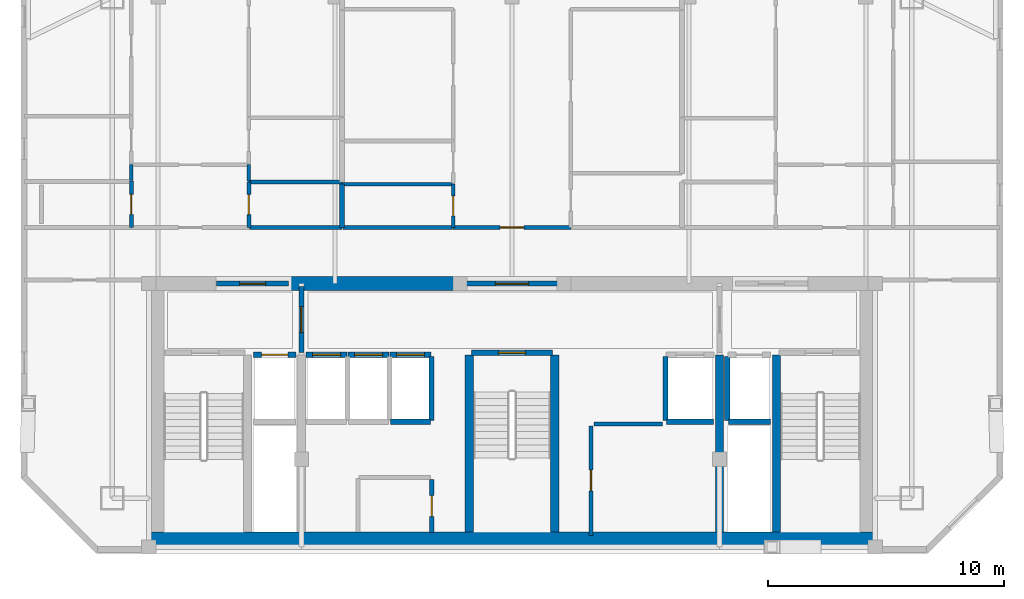
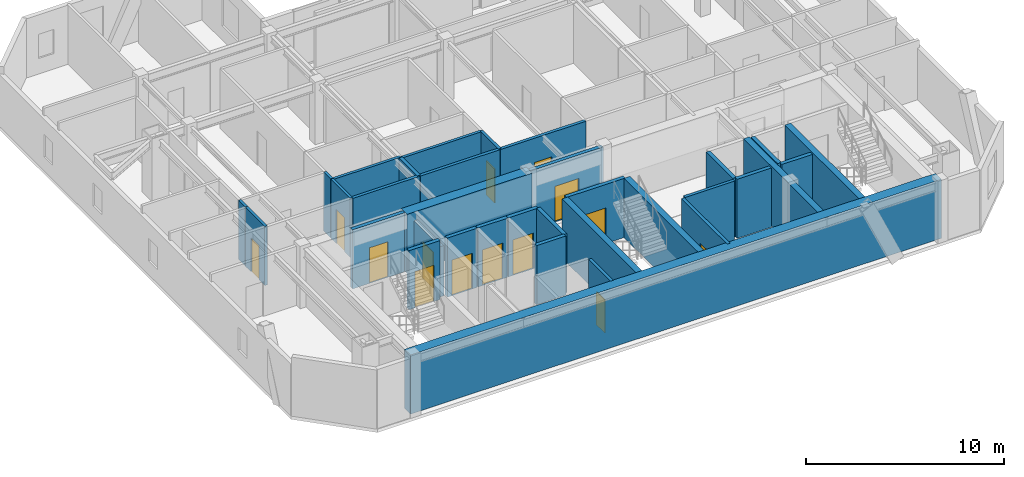
# One storey, part 6 of 11: 34 walls, 14 doors, 14 openings.
"""IFC4 building model written with IfcOpenShell, lengths in metres."""

from ifc_helpers import new_model, si_unit, direction, frame, frame_2d, origin, place, context, subcontext, project, spatial, rectangle, extrude, material, layer, layer_set, type_object, element, fill, save


model = new_model("IFC4")

# Units and contexts
model_context = context("Model", 3, precision=1e-05, world=origin(), true_north=direction((0.0, 1.0)))
body_context = subcontext(model_context, "Body", "Model", "MODEL_VIEW")
ifc_project = project(units=[si_unit("LENGTHUNIT", "METRE"), si_unit("AREAUNIT", "SQUARE_METRE"), si_unit("VOLUMEUNIT", "CUBIC_METRE"), si_unit("PLANEANGLEUNIT", "RADIAN"), si_unit("MASSUNIT", "GRAM", prefix="KILO")], contexts=[model_context])

# Site, building, storey
site_placement = place(None, origin())
site = spatial("IfcSite", under=ifc_project, at=site_placement, CompositionType="ELEMENT")
building_placement = place(site_placement, origin())
building = spatial("IfcBuilding", under=site, at=building_placement, Name="Ventersveld Concourse Tower", CompositionType="ELEMENT")
storey_placement = place(building_placement, frame((0.0, 0.0, 256.75)))
storey = spatial("IfcBuildingStorey", under=building, at=storey_placement, Name="L63", CompositionType="ELEMENT", Elevation=256.75)

# Walls
ifc_material_1 = material(Name="Concrete C50/60", Category="concrete")
ifc_layer_1 = layer(ifc_material_1, 0.35009765625)
ifc_layer_set_1 = layer_set([ifc_layer_1], Name="Concrete C50/60")
wall_type_1 = type_object("IfcWallType", Name="WL-CORE-350U", PredefinedType="SHEAR", material=ifc_layer_set_1)
for number, where, z_axis, x_axis, name in (
    (1, (26.93994140625, 0.919921875, 0.0), (0.0, 0.0, 1.0), (0.0, 1.0, 0.0), "L63 Core Internal Shear Web W-ST3-W"),
    (2, (30.56005859375, 0.919921875, 0.0), (0.0, 0.0, 1.0), (0.0, 1.0, 0.0), "L63 Core Internal Shear Web W-ST3-E"),
    (3, (37.550048828125, 0.919921875, 0.0), (0.0, 0.0, 1.0), (0.0, 1.0, 0.0), "L63 Core Internal Shear Web W-SVL-W"),
    (4, (39.9599609375, 0.919921875, 0.0), (0.0, 0.0, 1.0), (0.0, 1.0, 0.0), "L63 Core Internal Shear Web W-ST2-W"),
):
    element("IfcWall", number, at=place(storey_placement, frame(where, z_axis=z_axis, x_axis=x_axis)), inside=storey, type_object=wall_type_1, Name=name, PredefinedType="SHEAR", context=body_context, shape_type="SweptSolid", body=[
        extrude(rectangle(XDim=7.5, YDim=0.35009765625, at=frame_2d((3.75, 0.0))), origin(), (0.0, 0.0, 1.0), 3.64990234375),
    ])
ifc_layer_2 = layer(ifc_material_1, 0.60009765625)
ifc_layer_set_2 = layer_set([ifc_layer_2], Name="Concrete C50/60")
wall_type_2 = type_object("IfcWallType", Name="WL-CORE-600", PredefinedType="SHEAR", material=ifc_layer_set_2)
wall_1_placement = place(storey_placement, frame((13.25, 0.6201171875, 0.0), z_axis=(0.0, 0.0, 1.0), x_axis=(1.0, 0.0, 0.0)))
element("IfcWall", 5, at=wall_1_placement, inside=storey, type_object=wall_type_2, Name="L63 Rear Core South Shear Wall", PredefinedType="SHEAR", context=body_context, shape_type="SweptSolid", body=[
    extrude(rectangle(XDim=31.0, YDim=0.60009765625, at=frame_2d((15.5, 0.0))), origin(), (0.0, 0.0, 1.0), 3.64990234375),
])
wall_2_placement = place(storey_placement, frame((19.300048828125, 11.449951171875, 0.0), z_axis=(0.0, 0.0, 1.0), x_axis=(1.0, 0.0, 0.0)))
element("IfcWall", 6, at=wall_2_placement, inside=storey, type_object=wall_type_2, Name="L63 Rear Core North Shear Wall NML", PredefinedType="SHEAR", context=body_context, shape_type="SweptSolid", body=[
    extrude(rectangle(XDim=7.300048828125, YDim=0.60009765625, at=frame_2d((3.64990234375, 0.0))), origin(), (0.0, 0.0, 1.0), 3.64990234375),
])

# Wall, opening, door
ifc_material_2 = material(Name="Fire-rated autoclaved aerated masonry blockwork", Category="masonry")
ifc_layer_3 = layer(ifc_material_2, 0.179931640625)
ifc_layer_set_3 = layer_set([ifc_layer_3], Name="Fire-rated autoclaved aerated masonry blockwork")
wall_type_3 = type_object("IfcWallType", Name="WL-CORR-180", PredefinedType="PARTITIONING", material=ifc_layer_set_3)
wall_3_placement = place(storey_placement, frame((25.35009765625, 0.89990234375, 0.0), z_axis=(0.0, 0.0, 1.0), x_axis=(0.0, 1.0, 0.0)))
wall_3 = element("IfcWall", 7, at=wall_3_placement, inside=storey, type_object=wall_type_3, Name="L63 Core Passage Wall SP-L63-RECB1", PredefinedType="PARTITIONING", context=body_context, shape_type="SweptSolid", body=[
    extrude(rectangle(XDim=2.239990234375, YDim=0.179931640625, at=frame_2d((1.1201171875, 0.0))), origin(), (0.0, 0.0, 1.0), 3.64990234375),
])
opening_1_placement = place(wall_3_placement, frame((0.679931640625, 0.0, 0.0)))
opening_1 = element("IfcOpeningElement", 8, at=opening_1_placement, cuts=wall_3, Name="Opening FD5", PredefinedType="OPENING", context=body_context, shape_type="SweptSolid", body=[
    extrude(rectangle(XDim=0.8798828125, YDim=2.050048828125, at=frame_2d((0.43994140625, 1.02490234375))), frame((0.0, 0.10009765625, 0.0), z_axis=(0.0, -1.0, 0.0), x_axis=(1.0, 0.0, 0.0)), (0.0, 0.0, 1.0), 0.199951171875),
])
ifc_material_3 = material(Name="Galvanised painted steel", Category="steel")
door_type_1 = type_object("IfcDoorType", Name="DR-RISER-088", OperationType="NOTDEFINED", PredefinedType="DOOR", material=ifc_material_3)
door_1_placement = place(opening_1_placement, origin())
door_1 = element("IfcDoor", 9, at=door_1_placement, inside=storey, type_object=door_type_1, Name="L63 Core Room Door L63 Reclaimed Core Residents Reading Room (CD-L63-2978)", OperationType="SINGLE_SWING_LEFT", OverallHeight=2.050048828125, OverallWidth=0.8798828125, PredefinedType="DOOR", context=body_context, shape_type="SweptSolid", body=[
    extrude(rectangle(XDim=0.8798828125, YDim=2.050048828125, at=frame_2d((0.43994140625, 1.02490234375))), frame((0.0, 0.02490234375, 0.0), z_axis=(0.0, -1.0, 0.0), x_axis=(1.0, 0.0, 0.0)), (0.0, 0.0, 1.0), 0.050048828125),
])
fill(opening_1, door_1)

wall_4_placement = place(storey_placement, frame((32.10009765625, 0.780029296875, 0.0), z_axis=(0.0, 0.0, 1.0), x_axis=(0.0, 1.0, 0.0)))
wall_4 = element("IfcWall", 10, at=wall_4_placement, inside=storey, type_object=wall_type_3, Name="L63 Core Passage Wall SP-L63-RECB2", PredefinedType="PARTITIONING", context=body_context, shape_type="SweptSolid", body=[
    extrude(rectangle(XDim=4.639892578125, YDim=0.179931640625, at=frame_2d((2.31982421875, 0.0))), origin(), (0.0, 0.0, 1.0), 3.64990234375),
])
opening_2_placement = place(wall_4_placement, frame((1.8798828125, 0.0, 0.0)))
opening_2 = element("IfcOpeningElement", 11, at=opening_2_placement, cuts=wall_4, Name="Opening FD5", PredefinedType="OPENING", context=body_context, shape_type="SweptSolid", body=[
    extrude(rectangle(XDim=0.8798828125, YDim=2.050048828125, at=frame_2d((0.43994140625, 1.02490234375))), frame((0.0, 0.10009765625, 0.0), z_axis=(0.0, -1.0, 0.0), x_axis=(1.0, 0.0, 0.0)), (0.0, 0.0, 1.0), 0.199951171875),
])
door_2_placement = place(opening_2_placement, origin())
door_2 = element("IfcDoor", 12, at=door_2_placement, inside=storey, type_object=door_type_1, Name="L63 Core Room Door L63 Reclaimed Core Wellness Yoga Studio (CD-L63-2979)", OperationType="SINGLE_SWING_RIGHT", OverallHeight=2.050048828125, OverallWidth=0.8798828125, PredefinedType="DOOR", context=body_context, shape_type="SweptSolid", body=[
    extrude(rectangle(XDim=0.8798828125, YDim=2.050048828125, at=frame_2d((0.43994140625, 1.02490234375))), frame((0.0, 0.02490234375, 0.0), z_axis=(0.0, -1.0, 0.0), x_axis=(1.0, 0.0, 0.0)), (0.0, 0.0, 1.0), 0.050048828125),
])
fill(opening_2, door_2)

# Walls
wall_5_placement = place(storey_placement, frame((32.219970703125, 5.5, 0.0), z_axis=(0.0, 0.0, 1.0), x_axis=(1.0, 0.0, 0.0)))
element("IfcWall", 13, at=wall_5_placement, inside=storey, type_object=wall_type_3, Name="L63 Core Top Wall SP-L63-RECB2", PredefinedType="PARTITIONING", context=body_context, shape_type="SweptSolid", body=[
    extrude(rectangle(XDim=2.900146484375, YDim=0.179931640625, at=frame_2d((1.4501953125, 0.0))), origin(), (0.0, 0.0, 1.0), 3.64990234375),
])
wall_6_placement = place(storey_placement, frame((17.626953125, 13.830078125, 0.0), z_axis=(0.0, 0.0, 1.0), x_axis=(1.0, 0.0, 0.0)))
element("IfcWall", 14, at=wall_6_placement, inside=storey, type_object=wall_type_3, Name="L63 Interior Partition SP-L63-COR-SP-L63-63CW-PWDR1", PredefinedType="PARTITIONING", context=body_context, shape_type="SweptSolid", body=[
    extrude(rectangle(XDim=3.91796875, YDim=0.179931640625, at=frame_2d((1.958984375, 0.0))), origin(), (0.0, 0.0, 1.0), 3.64990234375),
])

# Wall, opening, door
wall_7_placement = place(storey_placement, frame((26.2548828125, 13.830078125, 0.0), z_axis=(0.0, 0.0, 1.0), x_axis=(1.0, 0.0, 0.0)))
wall_7 = element("IfcWall", 15, at=wall_7_placement, inside=storey, type_object=wall_type_3, Name="L63 Interior Partition SP-L63-COR-SP-L63-63CM-LIV", PredefinedType="PARTITIONING", context=body_context, shape_type="SweptSolid", body=[
    extrude(rectangle(XDim=4.990234375, YDim=0.179931640625, at=frame_2d((2.4951171875, 0.0))), origin(), (0.0, 0.0, 1.0), 3.64990234375),
])
opening_3_placement = place(wall_7_placement, frame((1.9951171875, 0.0, 0.0)))
opening_3 = element("IfcOpeningElement", 16, at=opening_3_placement, cuts=wall_7, Name="Opening FD3", PredefinedType="OPENING", context=body_context, shape_type="SweptSolid", body=[
    extrude(rectangle(XDim=1.0, YDim=2.14990234375, at=frame_2d((0.5, 1.074951171875))), frame((0.0, 0.10009765625, 0.0), z_axis=(0.0, -1.0, 0.0), x_axis=(1.0, 0.0, 0.0)), (0.0, 0.0, 1.0), 0.199951171875),
])
ifc_material_4 = material(Name="Solid-core hardwood veneer timber", Category="wood")
door_type_2 = type_object("IfcDoorType", Name="DR-FLAT-100", OperationType="NOTDEFINED", PredefinedType="DOOR", material=ifc_material_4)
door_3_placement = place(opening_3_placement, origin())
door_3 = element("IfcDoor", 17, at=door_3_placement, inside=storey, type_object=door_type_2, Name="L63 Interior Door SP-L63-COR to SP-L63-63CM-LIV (FD-L63-2984)", OperationType="SINGLE_SWING_RIGHT", OverallHeight=2.14990234375, OverallWidth=1.0, PredefinedType="DOOR", context=body_context, shape_type="SweptSolid", body=[
    extrude(rectangle(XDim=1.0, YDim=2.14990234375, at=frame_2d((0.5, 1.074951171875))), frame((0.0, 0.02490234375, 0.0), z_axis=(0.0, -1.0, 0.0), x_axis=(1.0, 0.0, 0.0)), (0.0, 0.0, 1.0), 0.050048828125),
])
fill(opening_3, door_3)

# Walls
wall_8_placement = place(storey_placement, frame((21.574951171875, 13.830078125, 0.0), z_axis=(0.0, 0.0, 1.0), x_axis=(1.0, 0.0, 0.0)))
element("IfcWall", 18, at=wall_8_placement, inside=storey, type_object=wall_type_3, Name="L63 Interior Partition SP-L63-COR-SP-L63-63CM-BATH", PredefinedType="PARTITIONING", context=body_context, shape_type="SweptSolid", body=[
    extrude(rectangle(XDim=4.650146484375, YDim=0.179931640625, at=frame_2d((2.3251953125, 0.0))), origin(), (0.0, 0.0, 1.0), 3.64990234375),
])
ifc_layer_4 = layer(ifc_material_2, 0.199951171875)
ifc_layer_set_4 = layer_set([ifc_layer_4], Name="Fire-rated autoclaved aerated masonry blockwork")
wall_type_4 = type_object("IfcWallType", Name="WL-DEMISE-200", PredefinedType="PARTITIONING", material=ifc_layer_set_4)
wall_9_placement = place(storey_placement, frame((21.5400390625, 13.824951171875, 0.0), z_axis=(0.0, 0.0, 1.0), x_axis=(0.0, 1.0, 0.0)))
element("IfcWall", 19, at=wall_9_placement, inside=storey, type_object=wall_type_4, Name="L63 Interior Partition SP-L63-63CW-PWDR1-SP-L63-63CM-BATH", PredefinedType="PARTITIONING", context=body_context, shape_type="SweptSolid", body=[
    extrude(rectangle(XDim=1.840087890625, YDim=0.199951171875, at=frame_2d((0.919921875, 0.0))), origin(), (0.0, 0.0, 1.0), 3.64990234375),
])

# Wall, opening, door
ifc_layer_5 = layer(ifc_material_2, 0.219970703125)
ifc_layer_set_5 = layer_set([ifc_layer_5], Name="Fire-rated autoclaved aerated masonry blockwork")
wall_type_5 = type_object("IfcWallType", Name="WL-HOIST-220", PredefinedType="SOLIDWALL", material=ifc_layer_set_5)
wall_10_placement = place(storey_placement, frame((17.780029296875, 8.429931640625, 0.0), z_axis=(0.0, 0.0, 1.0), x_axis=(1.0, 0.0, 0.0)))
wall_10 = element("IfcWall", 20, at=wall_10_placement, inside=storey, type_object=wall_type_5, Name="L63 Lift Hoistway Front Wall FFL-01", PredefinedType="SOLIDWALL", context=body_context, shape_type="SweptSolid", body=[
    extrude(rectangle(XDim=1.820068359375, YDim=0.219970703125, at=frame_2d((0.91015625, 0.0))), origin(), (0.0, 0.0, 1.0), 3.64990234375),
])
opening_4_placement = place(wall_10_placement, frame((0.35009765625, 0.0, 0.0)))
opening_4 = element("IfcOpeningElement", 21, at=opening_4_placement, cuts=wall_10, Name="Opening LD1", PredefinedType="OPENING", context=body_context, shape_type="SweptSolid", body=[
    extrude(rectangle(XDim=1.1201171875, YDim=2.25, at=frame_2d((0.56005859375, 1.125))), frame((0.0, 0.1201171875, 0.0), z_axis=(0.0, -1.0, 0.0), x_axis=(1.0, 0.0, 0.0)), (0.0, 0.0, 1.0), 0.239990234375),
])
ifc_material_5 = material(Name="Brushed stainless steel 316", Category="steel")
door_type_3 = type_object("IfcDoorType", Name="LD-FF-112", OperationType="SLIDING_TO_LEFT", PredefinedType="DOOR", material=ifc_material_5)
door_4_placement = place(opening_4_placement, origin())
door_4 = element("IfcDoor", 22, at=door_4_placement, inside=storey, type_object=door_type_3, Name="L63 Lift landing door FFL-01 (LD-L63-FFL-01)", OperationType="SLIDING_TO_RIGHT", OverallHeight=2.25, OverallWidth=1.1201171875, PredefinedType="DOOR", context=body_context, shape_type="SweptSolid", body=[
    extrude(rectangle(XDim=1.1201171875, YDim=2.25, at=frame_2d((0.56005859375, 1.125))), frame((0.0, 0.02490234375, 0.0), z_axis=(0.0, -1.0, 0.0), x_axis=(1.0, 0.0, 0.0)), (0.0, 0.0, 1.0), 0.050048828125),
])
fill(opening_4, door_4)

# Walls
wall_11_placement = place(storey_placement, frame((37.919921875, 5.590087890625, 0.0), z_axis=(0.0, 0.0, 1.0), x_axis=(1.0, 0.0, 0.0)))
element("IfcWall", 23, at=wall_11_placement, inside=storey, type_object=wall_type_5, Name="L63 Lift Hoistway Back Wall FFL-02", PredefinedType="SOLIDWALL", context=body_context, shape_type="SweptSolid", body=[
    extrude(rectangle(XDim=1.780029296875, YDim=0.219970703125, at=frame_2d((0.89013671875, 0.0))), origin(), (0.0, 0.0, 1.0), 3.64990234375),
])
wall_12_placement = place(storey_placement, frame((37.8798828125, 5.64990234375, 0.0), z_axis=(0.0, 0.0, 1.0), x_axis=(0.0, 1.0, 0.0)))
element("IfcWall", 24, at=wall_12_placement, inside=storey, type_object=wall_type_5, Name="L63 Lift Hoistway Side Wall FFL-02W", PredefinedType="SOLIDWALL", context=body_context, shape_type="SweptSolid", body=[
    extrude(rectangle(XDim=2.7001953125, YDim=0.219970703125, at=frame_2d((1.35009765625, 0.0))), origin(), (0.0, 0.0, 1.0), 3.64990234375),
])
wall_13_placement = place(storey_placement, frame((35.300048828125, 5.590087890625, 0.0), z_axis=(0.0, 0.0, 1.0), x_axis=(1.0, 0.0, 0.0)))
element("IfcWall", 25, at=wall_13_placement, inside=storey, type_object=wall_type_5, Name="L63 Lift Hoistway Back Wall SVL-01", PredefinedType="SOLIDWALL", context=body_context, shape_type="SweptSolid", body=[
    extrude(rectangle(XDim=2.0, YDim=0.219970703125, at=frame_2d((1.0, 0.0))), origin(), (0.0, 0.0, 1.0), 3.64990234375),
])
wall_14_placement = place(storey_placement, frame((35.260009765625, 5.64990234375, 0.0), z_axis=(0.0, 0.0, 1.0), x_axis=(0.0, 1.0, 0.0)))
element("IfcWall", 26, at=wall_14_placement, inside=storey, type_object=wall_type_5, Name="L63 Lift Hoistway Side Wall SVL-01W", PredefinedType="SOLIDWALL", context=body_context, shape_type="SweptSolid", body=[
    extrude(rectangle(XDim=2.7001953125, YDim=0.219970703125, at=frame_2d((1.35009765625, 0.0))), origin(), (0.0, 0.0, 1.0), 3.64990234375),
])

# Wall, opening, door
wall_15_placement = place(storey_placement, frame((20.02001953125, 8.429931640625, 0.0), z_axis=(0.0, 0.0, 1.0), x_axis=(1.0, 0.0, 0.0)))
wall_15 = element("IfcWall", 27, at=wall_15_placement, inside=storey, type_object=wall_type_5, Name="L63 Lift Hoistway Front Wall PH-01", PredefinedType="SOLIDWALL", context=body_context, shape_type="SweptSolid", body=[
    extrude(rectangle(XDim=1.739990234375, YDim=0.219970703125, at=frame_2d((0.8701171875, 0.0))), origin(), (0.0, 0.0, 1.0), 3.64990234375),
])
opening_5_placement = place(wall_15_placement, frame((0.280029296875, 0.0, 0.0)))
opening_5 = element("IfcOpeningElement", 28, at=opening_5_placement, cuts=wall_15, Name="Opening LD2", PredefinedType="OPENING", context=body_context, shape_type="SweptSolid", body=[
    extrude(rectangle(XDim=1.179931640625, YDim=2.199951171875, at=frame_2d((0.58984375, 1.10009765625))), frame((0.0, 0.1201171875, 0.0), z_axis=(0.0, -1.0, 0.0), x_axis=(1.0, 0.0, 0.0)), (0.0, 0.0, 1.0), 0.239990234375),
])
door_type_4 = type_object("IfcDoorType", Name="LD-PAX-118", OperationType="SLIDING_TO_LEFT", PredefinedType="DOOR", material=ifc_material_5)
door_5_placement = place(opening_5_placement, origin())
door_5 = element("IfcDoor", 29, at=door_5_placement, inside=storey, type_object=door_type_4, Name="L63 Lift landing door PH-01 (LD-L63-PH-01)", OperationType="SLIDING_TO_LEFT", OverallHeight=2.199951171875, OverallWidth=1.179931640625, PredefinedType="DOOR", context=body_context, shape_type="SweptSolid", body=[
    extrude(rectangle(XDim=1.179931640625, YDim=2.199951171875, at=frame_2d((0.58984375, 1.10009765625))), frame((0.0, 0.02490234375, 0.0), z_axis=(0.0, -1.0, 0.0), x_axis=(1.0, 0.0, 0.0)), (0.0, 0.0, 1.0), 0.050048828125),
])
fill(opening_5, door_5)

wall_16_placement = place(storey_placement, frame((21.800048828125, 8.429931640625, 0.0), z_axis=(0.0, 0.0, 1.0), x_axis=(1.0, 0.0, 0.0)))
wall_16 = element("IfcWall", 30, at=wall_16_placement, inside=storey, type_object=wall_type_5, Name="L63 Lift Hoistway Front Wall PH-02", PredefinedType="SOLIDWALL", context=body_context, shape_type="SweptSolid", body=[
    extrude(rectangle(XDim=1.739990234375, YDim=0.219970703125, at=frame_2d((0.8701171875, 0.0))), origin(), (0.0, 0.0, 1.0), 3.64990234375),
])
opening_6_placement = place(wall_16_placement, frame((0.280029296875, 0.0, 0.0)))
opening_6 = element("IfcOpeningElement", 31, at=opening_6_placement, cuts=wall_16, Name="Opening LD2", PredefinedType="OPENING", context=body_context, shape_type="SweptSolid", body=[
    extrude(rectangle(XDim=1.179931640625, YDim=2.199951171875, at=frame_2d((0.58984375, 1.10009765625))), frame((0.0, 0.1201171875, 0.0), z_axis=(0.0, -1.0, 0.0), x_axis=(1.0, 0.0, 0.0)), (0.0, 0.0, 1.0), 0.239990234375),
])
door_6_placement = place(opening_6_placement, origin())
door_6 = element("IfcDoor", 32, at=door_6_placement, inside=storey, type_object=door_type_4, Name="L63 Lift landing door PH-02 (LD-L63-PH-02)", OperationType="SLIDING_TO_RIGHT", OverallHeight=2.199951171875, OverallWidth=1.179931640625, PredefinedType="DOOR", context=body_context, shape_type="SweptSolid", body=[
    extrude(rectangle(XDim=1.179931640625, YDim=2.199951171875, at=frame_2d((0.58984375, 1.10009765625))), frame((0.0, 0.02490234375, 0.0), z_axis=(0.0, -1.0, 0.0), x_axis=(1.0, 0.0, 0.0)), (0.0, 0.0, 1.0), 0.050048828125),
])
fill(opening_6, door_6)

# Walls
wall_17_placement = place(storey_placement, frame((23.60009765625, 5.590087890625, 0.0), z_axis=(0.0, 0.0, 1.0), x_axis=(1.0, 0.0, 0.0)))
element("IfcWall", 33, at=wall_17_placement, inside=storey, type_object=wall_type_5, Name="L63 Lift Hoistway Back Wall PH-03", PredefinedType="SOLIDWALL", context=body_context, shape_type="SweptSolid", body=[
    extrude(rectangle(XDim=1.699951171875, YDim=0.219970703125, at=frame_2d((0.85009765625, 0.0))), origin(), (0.0, 0.0, 1.0), 3.64990234375),
])
wall_18_placement = place(storey_placement, frame((25.340087890625, 5.64990234375, 0.0), z_axis=(0.0, 0.0, 1.0), x_axis=(0.0, 1.0, 0.0)))
element("IfcWall", 34, at=wall_18_placement, inside=storey, type_object=wall_type_5, Name="L63 Lift Hoistway Side Wall PH-03E", PredefinedType="SOLIDWALL", context=body_context, shape_type="SweptSolid", body=[
    extrude(rectangle(XDim=2.7001953125, YDim=0.219970703125, at=frame_2d((1.35009765625, 0.0))), origin(), (0.0, 0.0, 1.0), 3.64990234375),
])

# Wall, opening, door
wall_19_placement = place(storey_placement, frame((23.580078125, 8.429931640625, 0.0), z_axis=(0.0, 0.0, 1.0), x_axis=(1.0, 0.0, 0.0)))
wall_19 = element("IfcWall", 35, at=wall_19_placement, inside=storey, type_object=wall_type_5, Name="L63 Lift Hoistway Front Wall PH-03", PredefinedType="SOLIDWALL", context=body_context, shape_type="SweptSolid", body=[
    extrude(rectangle(XDim=1.739990234375, YDim=0.219970703125, at=frame_2d((0.8701171875, 0.0))), origin(), (0.0, 0.0, 1.0), 3.64990234375),
])
opening_7_placement = place(wall_19_placement, frame((0.280029296875, 0.0, 0.0)))
opening_7 = element("IfcOpeningElement", 36, at=opening_7_placement, cuts=wall_19, Name="Opening LD2", PredefinedType="OPENING", context=body_context, shape_type="SweptSolid", body=[
    extrude(rectangle(XDim=1.179931640625, YDim=2.199951171875, at=frame_2d((0.58984375, 1.10009765625))), frame((0.0, 0.1201171875, 0.0), z_axis=(0.0, -1.0, 0.0), x_axis=(1.0, 0.0, 0.0)), (0.0, 0.0, 1.0), 0.239990234375),
])
door_7_placement = place(opening_7_placement, origin())
door_7 = element("IfcDoor", 37, at=door_7_placement, inside=storey, type_object=door_type_4, Name="L63 Lift landing door PH-03 (LD-L63-PH-03)", OperationType="SLIDING_TO_LEFT", OverallHeight=2.199951171875, OverallWidth=1.179931640625, PredefinedType="DOOR", context=body_context, shape_type="SweptSolid", body=[
    extrude(rectangle(XDim=1.179931640625, YDim=2.199951171875, at=frame_2d((0.58984375, 1.10009765625))), frame((0.0, 0.02490234375, 0.0), z_axis=(0.0, -1.0, 0.0), x_axis=(1.0, 0.0, 0.0)), (0.0, 0.0, 1.0), 0.050048828125),
])
fill(opening_7, door_7)

wall_20_placement = place(storey_placement, frame((27.0400390625, 8.52001953125, 0.0), z_axis=(0.0, 0.0, 1.0), x_axis=(1.0, 0.0, 0.0)))
wall_20 = element("IfcWall", 38, at=wall_20_placement, inside=storey, type_object=wall_type_5, Name="L63 Escape Stair ST03 Fire Wall", PredefinedType="SOLIDWALL", context=body_context, shape_type="SweptSolid", body=[
    extrude(rectangle(XDim=3.419921875, YDim=0.219970703125, at=frame_2d((1.7099609375, 0.0))), origin(), (0.0, 0.0, 1.0), 3.64990234375),
])
opening_8_placement = place(wall_20_placement, frame((1.135009765625, 0.0, 0.0)))
opening_8 = element("IfcOpeningElement", 39, at=opening_8_placement, cuts=wall_20, Name="Opening FD1", PredefinedType="OPENING", context=body_context, shape_type="SweptSolid", body=[
    extrude(rectangle(XDim=1.14990234375, YDim=2.199951171875, at=frame_2d((0.574951171875, 1.10009765625))), frame((0.0, 0.1201171875, 0.0), z_axis=(0.0, -1.0, 0.0), x_axis=(1.0, 0.0, 0.0)), (0.0, 0.0, 1.0), 0.239990234375),
])
door_type_5 = type_object("IfcDoorType", Name="DR-STAIR-115", OperationType="NOTDEFINED", PredefinedType="DOOR", material=ifc_material_3)
door_8_placement = place(opening_8_placement, origin())
door_8 = element("IfcDoor", 40, at=door_8_placement, inside=storey, type_object=door_type_5, Name="L63 Escape Stair Door ST03 (SD-L63-2972)", OperationType="SINGLE_SWING_LEFT", OverallHeight=2.199951171875, OverallWidth=1.14990234375, PredefinedType="DOOR", context=body_context, shape_type="SweptSolid", body=[
    extrude(rectangle(XDim=1.14990234375, YDim=2.199951171875, at=frame_2d((0.574951171875, 1.10009765625))), frame((0.0, 0.02490234375, 0.0), z_axis=(0.0, -1.0, 0.0), x_axis=(1.0, 0.0, 0.0)), (0.0, 0.0, 1.0), 0.050048828125),
])
fill(opening_8, door_8)

wall_21_placement = place(storey_placement, frame((19.820068359375, 8.52001953125, 0.0), z_axis=(0.0, 0.0, 1.0), x_axis=(0.0, 1.0, 0.0)))
wall_21 = element("IfcWall", 41, at=wall_21_placement, inside=storey, type_object=wall_type_5, Name="L63 Firefighting Lobby Smoke-Stop Wall FFLW-SEP", PredefinedType="SOLIDWALL", context=body_context, shape_type="SweptSolid", body=[
    extrude(rectangle(XDim=2.800048828125, YDim=0.219970703125, at=frame_2d((1.39990234375, 0.0))), origin(), (0.0, 0.0, 1.0), 3.10546875),
])
opening_9_placement = place(wall_21_placement, frame((0.85009765625, 0.0, 0.0)))
opening_9 = element("IfcOpeningElement", 42, at=opening_9_placement, cuts=wall_21, Name="Opening FD2", PredefinedType="OPENING", context=body_context, shape_type="SweptSolid", body=[
    extrude(rectangle(XDim=1.10009765625, YDim=2.199951171875, at=frame_2d((0.550048828125, 1.10009765625))), frame((0.0, 0.1201171875, 0.0), z_axis=(0.0, -1.0, 0.0), x_axis=(1.0, 0.0, 0.0)), (0.0, 0.0, 1.0), 0.239990234375),
])
door_type_6 = type_object("IfcDoorType", Name="DR-FFL-110", OperationType="NOTDEFINED", PredefinedType="DOOR", material=ifc_material_3)
door_9_placement = place(opening_9_placement, origin())
door_9 = element("IfcDoor", 43, at=door_9_placement, inside=storey, type_object=door_type_6, Name="L63 Firefighting Lobby Door FFLW-SEP (FD-L63-2973)", OperationType="SINGLE_SWING_LEFT", OverallHeight=2.199951171875, OverallWidth=1.10009765625, PredefinedType="DOOR", context=body_context, shape_type="SweptSolid", body=[
    extrude(rectangle(XDim=1.10009765625, YDim=2.199951171875, at=frame_2d((0.550048828125, 1.10009765625))), frame((0.0, 0.02490234375, 0.0), z_axis=(0.0, -1.0, 0.0), x_axis=(1.0, 0.0, 0.0)), (0.0, 0.0, 1.0), 0.050048828125),
])
fill(opening_9, door_9)

wall_22_placement = place(storey_placement, frame((16.22998046875, 11.449951171875, 0.0), z_axis=(0.0, 0.0, 1.0), x_axis=(1.0, 0.0, 0.0)))
wall_22 = element("IfcWall", 44, at=wall_22_placement, inside=storey, type_object=wall_type_5, Name="L63 Core North Fire Portal FFLW-OUT", PredefinedType="SOLIDWALL", context=body_context, shape_type="SweptSolid", body=[
    extrude(rectangle(XDim=3.0400390625, YDim=0.219970703125, at=frame_2d((1.52001953125, 0.0))), origin(), (0.0, 0.0, 1.0), 3.64990234375),
])
opening_10_placement = place(wall_22_placement, frame((0.969970703125, 0.0, 0.0)))
opening_10 = element("IfcOpeningElement", 45, at=opening_10_placement, cuts=wall_22, Name="Opening FD2", PredefinedType="OPENING", context=body_context, shape_type="SweptSolid", body=[
    extrude(rectangle(XDim=1.10009765625, YDim=2.199951171875, at=frame_2d((0.550048828125, 1.10009765625))), frame((0.0, 0.1201171875, 0.0), z_axis=(0.0, -1.0, 0.0), x_axis=(1.0, 0.0, 0.0)), (0.0, 0.0, 1.0), 0.239990234375),
])
door_10_placement = place(opening_10_placement, origin())
door_10 = element("IfcDoor", 46, at=door_10_placement, inside=storey, type_object=door_type_6, Name="L63 Core Lobby Fire Door FFLW-OUT (FD-L63-2975)", OperationType="SINGLE_SWING_RIGHT", OverallHeight=2.199951171875, OverallWidth=1.10009765625, PredefinedType="DOOR", context=body_context, shape_type="SweptSolid", body=[
    extrude(rectangle(XDim=1.10009765625, YDim=2.199951171875, at=frame_2d((0.550048828125, 1.10009765625))), frame((0.0, 0.02490234375, 0.0), z_axis=(0.0, -1.0, 0.0), x_axis=(1.0, 0.0, 0.0)), (0.0, 0.0, 1.0), 0.050048828125),
])
fill(opening_10, door_10)

wall_23_placement = place(storey_placement, frame((26.6298828125, 11.449951171875, 0.0), z_axis=(0.0, 0.0, 1.0), x_axis=(1.0, 0.0, 0.0)))
wall_23 = element("IfcWall", 47, at=wall_23_placement, inside=storey, type_object=wall_type_5, Name="L63 Core North Fire Portal PLOB-OUT", PredefinedType="SOLIDWALL", context=body_context, shape_type="SweptSolid", body=[
    extrude(rectangle(XDim=4.240234375, YDim=0.219970703125, at=frame_2d((2.1201171875, 0.0))), origin(), (0.0, 0.0, 1.0), 3.64990234375),
])
opening_11_placement = place(wall_23_placement, frame((1.419921875, 0.0, 0.0)))
opening_11 = element("IfcOpeningElement", 48, at=opening_11_placement, cuts=wall_23, Name="Opening FD4", PredefinedType="OPENING", context=body_context, shape_type="SweptSolid", body=[
    extrude(rectangle(XDim=1.39990234375, YDim=2.199951171875, at=frame_2d((0.699951171875, 1.10009765625))), frame((0.0, 0.1201171875, 0.0), z_axis=(0.0, -1.0, 0.0), x_axis=(1.0, 0.0, 0.0)), (0.0, 0.0, 1.0), 0.239990234375),
])
door_type_7 = type_object("IfcDoorType", Name="DR-PLANT-140", OperationType="DOUBLE_DOOR_SINGLE_SWING", PredefinedType="DOOR", material=ifc_material_3)
door_11_placement = place(opening_11_placement, origin())
door_11 = element("IfcDoor", 49, at=door_11_placement, inside=storey, type_object=door_type_7, Name="L63 Core Lobby Fire Door PLOB-OUT (FD-L63-2976)", OperationType="DOUBLE_DOOR_SINGLE_SWING", OverallHeight=2.199951171875, OverallWidth=1.39990234375, PredefinedType="DOOR", context=body_context, shape_type="SweptSolid", body=[
    extrude(rectangle(XDim=1.39990234375, YDim=2.199951171875, at=frame_2d((0.699951171875, 1.10009765625))), frame((0.0, 0.02490234375, 0.0), z_axis=(0.0, -1.0, 0.0), x_axis=(1.0, 0.0, 0.0)), (0.0, 0.0, 1.0), 0.050048828125),
])
fill(opening_11, door_11)

# Walls
ifc_material_6 = material(Name="Autoclaved aerated masonry blockwork", Category="masonry")
ifc_layer_6 = layer(ifc_material_6, 0.14990234375)
ifc_layer_set_6 = layer_set([ifc_layer_6], Name="Autoclaved aerated masonry blockwork")
wall_type_6 = type_object("IfcWallType", Name="WL-INT-150", PredefinedType="PARTITIONING", material=ifc_layer_set_6)
wall_24_placement = place(storey_placement, frame((12.612060546875, 15.8212890625, 0.0), z_axis=(0.0, 0.0, 1.0), x_axis=(0.0, 1.0, 0.0)))
element("IfcWall", 50, at=wall_24_placement, inside=storey, type_object=wall_type_6, Name="L63 Interior Partition SP-L63-63CW-FOY-SP-L63-63CW-PANL0", PredefinedType="PARTITIONING", context=body_context, shape_type="SweptSolid", body=[
    extrude(rectangle(XDim=0.674072265625, YDim=0.14990234375, at=frame_2d((0.3369140625, 0.0))), origin(), (0.0, 0.0, 1.0), 3.64990234375),
])
wall_25_placement = place(storey_placement, frame((17.592041015625, 15.796630859375, 0.0), z_axis=(0.0, 0.0, 1.0), x_axis=(0.0, 1.0, 0.0)))
element("IfcWall", 51, at=wall_25_placement, inside=storey, type_object=wall_type_6, Name="L63 Interior Partition SP-L63-63CW-FOY-SP-L63-63CW-KIT", PredefinedType="PARTITIONING", context=body_context, shape_type="SweptSolid", body=[
    extrude(rectangle(XDim=0.69873046875, YDim=0.14990234375, at=frame_2d((0.349365234375, 0.0))), origin(), (0.0, 0.0, 1.0), 3.64990234375),
])

# Wall, opening, door
ifc_layer_7 = layer(ifc_material_6, 0.1650390625)
ifc_layer_set_7 = layer_set([ifc_layer_7], Name="Autoclaved aerated masonry blockwork")
wall_type_7 = type_object("IfcWallType", Name="WL-WET-165", PredefinedType="PLUMBINGWALL", material=ifc_layer_set_7)
wall_26_placement = place(storey_placement, frame((12.612060546875, 13.824951171875, 0.0), z_axis=(0.0, 0.0, 1.0), x_axis=(0.0, 1.0, 0.0)))
wall_26 = element("IfcWall", 52, at=wall_26_placement, inside=storey, type_object=wall_type_7, Name="L63 Interior Partition SP-L63-63CW-FOY-SP-L63-63CW-BATH", PredefinedType="PLUMBINGWALL", context=body_context, shape_type="SweptSolid", body=[
    extrude(rectangle(XDim=1.966552734375, YDim=0.1650390625, at=frame_2d((0.9833984375, 0.0))), origin(), (0.0, 0.0, 1.0), 3.64990234375),
])
opening_12_placement = place(wall_26_placement, frame((0.55810546875, 0.0, 0.0)))
opening_12 = element("IfcOpeningElement", 53, at=opening_12_placement, cuts=wall_26, Name="Opening ID2", PredefinedType="OPENING", context=body_context, shape_type="SweptSolid", body=[
    extrude(rectangle(XDim=0.85009765625, YDim=2.10009765625, at=frame_2d((0.425048828125, 1.050048828125))), frame((0.0, 0.092529296875, 0.0), z_axis=(0.0, -1.0, 0.0), x_axis=(1.0, 0.0, 0.0)), (0.0, 0.0, 1.0), 0.18505859375),
])
door_type_8 = type_object("IfcDoorType", Name="DR-BATH-085", OperationType="NOTDEFINED", PredefinedType="DOOR", material=ifc_material_4)
door_12_placement = place(opening_12_placement, origin())
door_12 = element("IfcDoor", 54, at=door_12_placement, inside=storey, type_object=door_type_8, Name="L63 Interior Door SP-L63-63CW-FOY to SP-L63-63CW-BATH (D-L63-2986)", OperationType="SINGLE_SWING_RIGHT", OverallHeight=2.10009765625, OverallWidth=0.85009765625, PredefinedType="DOOR", context=body_context, shape_type="SweptSolid", body=[
    extrude(rectangle(XDim=0.85009765625, YDim=2.10009765625, at=frame_2d((0.425048828125, 1.050048828125))), frame((0.0, 0.02490234375, 0.0), z_axis=(0.0, -1.0, 0.0), x_axis=(1.0, 0.0, 0.0)), (0.0, 0.0, 1.0), 0.050048828125),
])
fill(opening_12, door_12)

wall_27_placement = place(storey_placement, frame((17.592041015625, 13.824951171875, 0.0), z_axis=(0.0, 0.0, 1.0), x_axis=(0.0, 1.0, 0.0)))
wall_27 = element("IfcWall", 55, at=wall_27_placement, inside=storey, type_object=wall_type_7, Name="L63 Interior Partition SP-L63-63CW-FOY-SP-L63-63CW-PWDR1", PredefinedType="PLUMBINGWALL", context=body_context, shape_type="SweptSolid", body=[
    extrude(rectangle(XDim=1.941650390625, YDim=0.1650390625, at=frame_2d((0.970703125, 0.0))), origin(), (0.0, 0.0, 1.0), 3.64990234375),
])
opening_13_placement = place(wall_27_placement, frame((0.5458984375, 0.0, 0.0)))
opening_13 = element("IfcOpeningElement", 56, at=opening_13_placement, cuts=wall_27, Name="Opening ID2", PredefinedType="OPENING", context=body_context, shape_type="SweptSolid", body=[
    extrude(rectangle(XDim=0.85009765625, YDim=2.10009765625, at=frame_2d((0.425048828125, 1.050048828125))), frame((0.0, 0.092529296875, 0.0), z_axis=(0.0, -1.0, 0.0), x_axis=(1.0, 0.0, 0.0)), (0.0, 0.0, 1.0), 0.18505859375),
])
door_13_placement = place(opening_13_placement, origin())
door_13 = element("IfcDoor", 57, at=door_13_placement, inside=storey, type_object=door_type_8, Name="L63 Interior Door SP-L63-63CW-FOY to SP-L63-63CW-PWDR1 (D-L63-2987)", OperationType="SINGLE_SWING_LEFT", OverallHeight=2.10009765625, OverallWidth=0.85009765625, PredefinedType="DOOR", context=body_context, shape_type="SweptSolid", body=[
    extrude(rectangle(XDim=0.85009765625, YDim=2.10009765625, at=frame_2d((0.425048828125, 1.050048828125))), frame((0.0, 0.02490234375, 0.0), z_axis=(0.0, -1.0, 0.0), x_axis=(1.0, 0.0, 0.0)), (0.0, 0.0, 1.0), 0.050048828125),
])
fill(opening_13, door_13)

# Wall
wall_28_placement = place(storey_placement, frame((17.5869140625, 15.76171875, 0.0), z_axis=(0.0, 0.0, 1.0), x_axis=(1.0, 0.0, 0.0)))
element("IfcWall", 58, at=wall_28_placement, inside=storey, type_object=wall_type_7, Name="L63 Interior Partition SP-L63-63CW-PWDR1-SP-L63-63CW-KIT", PredefinedType="PLUMBINGWALL", context=body_context, shape_type="SweptSolid", body=[
    extrude(rectangle(XDim=3.9580078125, YDim=0.1650390625, at=frame_2d((1.97900390625, 0.0))), origin(), (0.0, 0.0, 1.0), 3.64990234375),
])

# Wall, opening, door
wall_29_placement = place(storey_placement, frame((26.260009765625, 13.824951171875, 0.0), z_axis=(0.0, 0.0, 1.0), x_axis=(0.0, 1.0, 0.0)))
wall_29 = element("IfcWall", 59, at=wall_29_placement, inside=storey, type_object=wall_type_7, Name="L63 Interior Partition SP-L63-63CM-LIV-SP-L63-63CM-BATH", PredefinedType="PLUMBINGWALL", context=body_context, shape_type="SweptSolid", body=[
    extrude(rectangle(XDim=1.840087890625, YDim=0.1650390625, at=frame_2d((0.919921875, 0.0))), origin(), (0.0, 0.0, 1.0), 3.64990234375),
])
opening_14_placement = place(wall_29_placement, frame((0.4951171875, 0.0, 0.0)))
opening_14 = element("IfcOpeningElement", 60, at=opening_14_placement, cuts=wall_29, Name="Opening ID2", PredefinedType="OPENING", context=body_context, shape_type="SweptSolid", body=[
    extrude(rectangle(XDim=0.85009765625, YDim=2.10009765625, at=frame_2d((0.425048828125, 1.050048828125))), frame((0.0, 0.092529296875, 0.0), z_axis=(0.0, -1.0, 0.0), x_axis=(1.0, 0.0, 0.0)), (0.0, 0.0, 1.0), 0.18505859375),
])
door_14_placement = place(opening_14_placement, origin())
door_14 = element("IfcDoor", 61, at=door_14_placement, inside=storey, type_object=door_type_8, Name="L63 Interior Door SP-L63-63CM-LIV to SP-L63-63CM-BATH (D-L63-3004)", OperationType="SINGLE_SWING_RIGHT", OverallHeight=2.10009765625, OverallWidth=0.85009765625, PredefinedType="DOOR", context=body_context, shape_type="SweptSolid", body=[
    extrude(rectangle(XDim=0.85009765625, YDim=2.10009765625, at=frame_2d((0.425048828125, 1.050048828125))), frame((0.0, 0.02490234375, 0.0), z_axis=(0.0, -1.0, 0.0), x_axis=(1.0, 0.0, 0.0)), (0.0, 0.0, 1.0), 0.050048828125),
])
fill(opening_14, door_14)

# Wall
wall_30_placement = place(storey_placement, frame((21.534912109375, 15.659912109375, 0.0), z_axis=(0.0, 0.0, 1.0), x_axis=(1.0, 0.0, 0.0)))
element("IfcWall", 62, at=wall_30_placement, inside=storey, type_object=wall_type_7, Name="L63 Interior Partition SP-L63-63CM-BATH-SP-L63-63CM-PWDL0", PredefinedType="PLUMBINGWALL", context=body_context, shape_type="SweptSolid", body=[
    extrude(rectangle(XDim=4.72998046875, YDim=0.1650390625, at=frame_2d((2.364990234375, 0.0))), origin(), (0.0, 0.0, 1.0), 3.64990234375),
])

save(model, "model.ifc")
